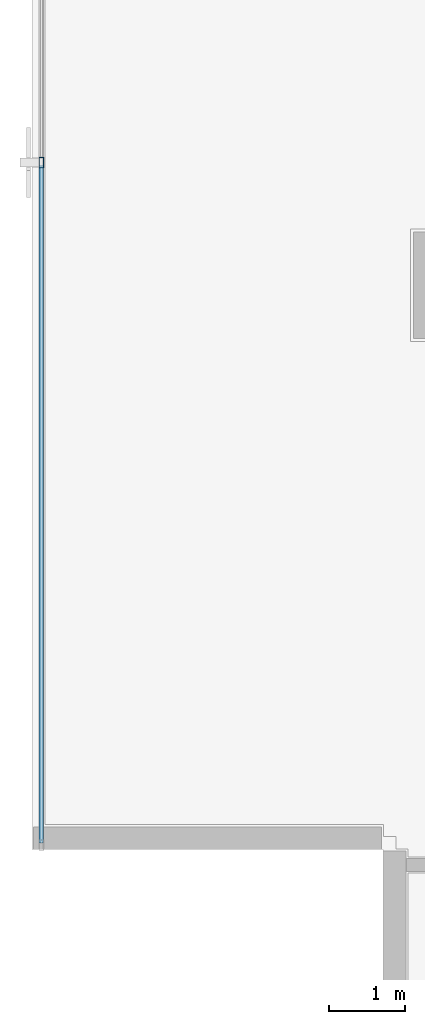
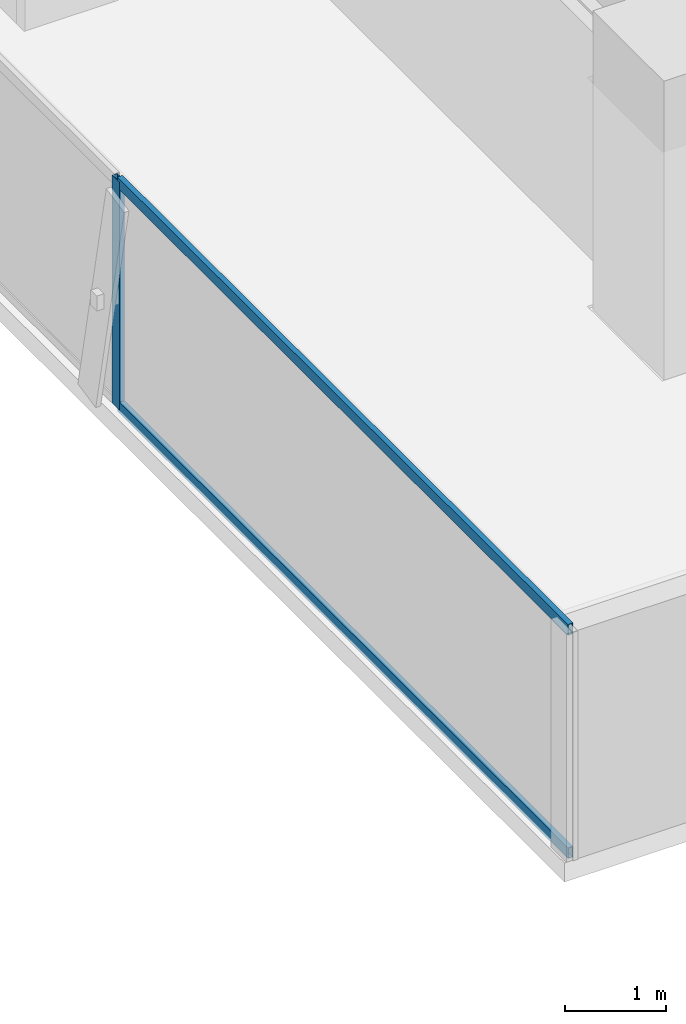
# One storey, part 4 of 26: 3 members, 1 element without a shape of its own.
"""IFC4 building model written with IfcOpenShell, lengths in metres."""

from ifc_helpers import new_model, si_unit, direction, frame, origin, origin_2d, place, context, subcontext, project, spatial, hollow_rectangle, extrude, source, transform, mapped, material, layer, layer_set, material_profile, profile_set, type_object, element, aggregate, save


model = new_model("IFC4")

# Units and contexts
model_context = context("Model", 3, precision=1e-05, world=origin(), true_north=direction((0.0, 1.0)))
body_context = subcontext(model_context, "Body", "Model", "MODEL_VIEW")
ifc_project = project(units=[si_unit("LENGTHUNIT", "METRE"), si_unit("AREAUNIT", "SQUARE_METRE"), si_unit("VOLUMEUNIT", "CUBIC_METRE"), si_unit("PLANEANGLEUNIT", "RADIAN"), si_unit("MASSUNIT", "GRAM", prefix="KILO")], contexts=[model_context])

# Site, building, storey
site_placement = place(None, origin())
site = spatial("IfcSite", under=ifc_project, at=site_placement, CompositionType="ELEMENT")
building_placement = place(site_placement, origin())
building = spatial("IfcBuilding", under=site, at=building_placement, Name="Sumidabori Civic Tower", CompositionType="ELEMENT")
storey_placement = place(building_placement, frame((0.0, 0.0, 254.0)))
storey = spatial("IfcBuildingStorey", under=building, at=storey_placement, Name="L66", CompositionType="ELEMENT", Elevation=254.0)

# Curtain wall, members
ifc_material = material(Name="Anodised Bronze Aluminium AW-6063-T6", Category="aluminium")
ifc_layer = layer(ifc_material, 0.179931640625, Name="Anodised Bronze Aluminium AW-6063-T6")
ifc_layer_set = layer_set([ifc_layer], Name="Anodised Bronze Aluminium AW-6063-T6")
curtain_wall_type = type_object("IfcCurtainWallType", Name="CW-SYS-5", PredefinedType="NOTDEFINED", material=ifc_layer_set)
curtain_wall_placement = place(storey_placement, origin())
curtain_wall = element("IfcCurtainWall", 1, at=curtain_wall_placement, inside=storey, type_object=curtain_wall_type, Name="Curtain Wall CW:L66:R10", PredefinedType="NOTDEFINED")
ifc_material_profile_1 = material_profile(ifc_material, hollow_rectangle(XDim=0.06005859375, YDim=0.139892578125, WallThickness=0.0048828125, at=origin_2d()), Name="ALU MULLION 140x60")
ifc_profile_set_1 = profile_set([ifc_material_profile_1], Name="Anodised Bronze Aluminium AW-6063-T6")
member_type_1 = type_object("IfcMemberType", Name="CW-MUL-140", PredefinedType="MULLION", material=ifc_profile_set_1)
shared_shape_1 = source(origin(), body_context, "Body", "SweptSolid", [
    extrude(hollow_rectangle(XDim=0.06005859375, YDim=0.139892578125, WallThickness=0.0048828125, at=origin_2d()), origin(), (0.0, 0.0, 1.0), 2.75),
])
member_1_placement = place(storey_placement, frame((-22.3798828125, 1.610107421875, 0.0), z_axis=(0.0, 0.0, 1.0), x_axis=(1.0, 0.0, 0.0)))
member_1 = element("IfcMember", 2, at=member_1_placement, type_object=member_type_1, Name="CW-5 mullion 3", PredefinedType="MULLION", context=body_context, shape_type="MappedRepresentation", body=[
    mapped(shared_shape_1, transform((0.0, 0.0, 0.0), x_axis=(1.0, 0.0, 0.0), y_axis=(0.0, 1.0, 0.0), z_axis=(0.0, 0.0, 1.0), scale=1.0)),
])
ifc_material_profile_2 = material_profile(ifc_material, hollow_rectangle(XDim=0.06005859375, YDim=0.1298828125, WallThickness=0.0048828125, at=origin_2d()), Name="ALU TRANSOM 130x60")
ifc_profile_set_2 = profile_set([ifc_material_profile_2], Name="Anodised Bronze Aluminium AW-6063-T6")
member_type_2 = type_object("IfcMemberType", Name="CW-TRN-130", PredefinedType="USERDEFINED", material=ifc_profile_set_2)
shared_shape_2 = source(origin(), body_context, "Body", "SweptSolid", [
    extrude(hollow_rectangle(XDim=0.06005859375, YDim=0.1298828125, WallThickness=0.0048828125, at=origin_2d()), origin(), (0.0, 0.0, 1.0), 8.89013671875),
])
member_2_placement = place(storey_placement, frame((-22.3798828125, 1.580078125, 0.030029296875), z_axis=(0.0, -1.0, 0.0), x_axis=(1.0, 0.0, 0.0)))
member_2 = element("IfcMember", 3, at=member_2_placement, type_object=member_type_2, Name="CW-5 transom 3.1", ObjectType="TRANSOM", PredefinedType="USERDEFINED", context=body_context, shape_type="MappedRepresentation", body=[
    mapped(shared_shape_2, transform((0.0, 0.0, 0.0), x_axis=(1.0, 0.0, 0.0), y_axis=(0.0, 1.0, 0.0), z_axis=(0.0, 0.0, 1.0), scale=1.0)),
])
member_3_placement = place(storey_placement, frame((-22.3798828125, 1.580078125, 2.719970703125), z_axis=(0.0, -1.0, 0.0), x_axis=(1.0, 0.0, 0.0)))
member_3 = element("IfcMember", 4, at=member_3_placement, type_object=member_type_2, Name="CW-5 transom 3.2", ObjectType="TRANSOM", PredefinedType="USERDEFINED", context=body_context, shape_type="MappedRepresentation", body=[
    mapped(shared_shape_2, transform((0.0, 0.0, 0.0), x_axis=(1.0, 0.0, 0.0), y_axis=(0.0, 1.0, 0.0), z_axis=(0.0, 0.0, 1.0), scale=1.0)),
])
aggregate(curtain_wall, [member_1, member_2, member_3])

save(model, "model.ifc")
